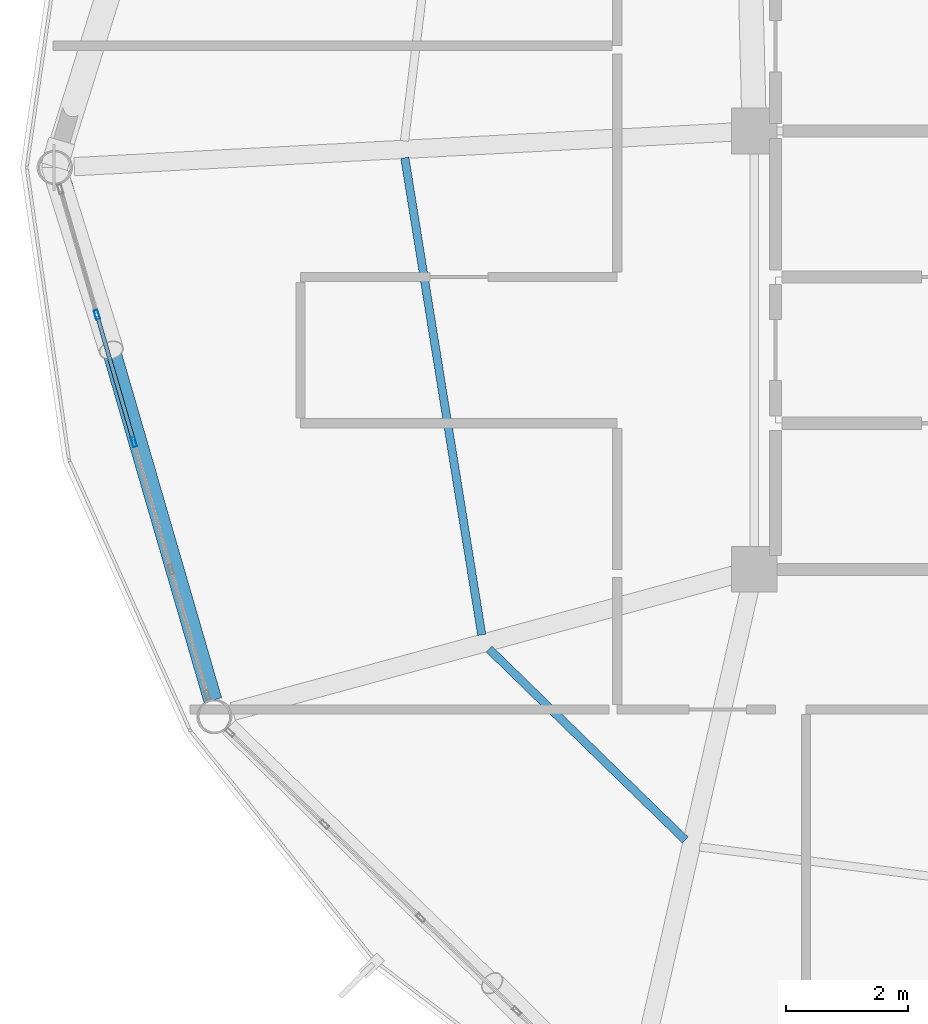
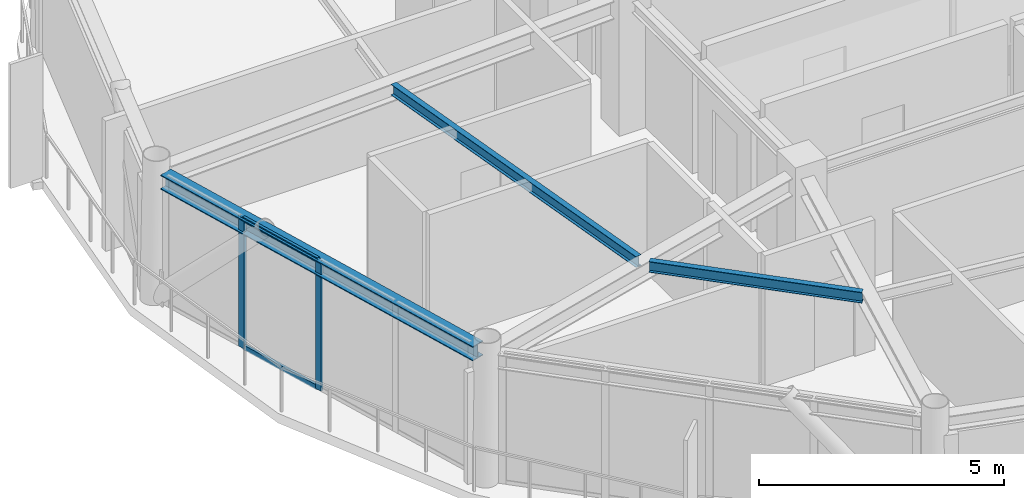
# One storey, part 5 of 28: 4 members, 3 beams, 1 element without a shape of its own.
"""IFC4 building model written with IfcOpenShell, lengths in metres."""

from ifc_helpers import new_model, si_unit, direction, frame, origin, origin_2d, place, context, subcontext, project, spatial, hollow_rectangle, i_section, extrude, material, layer, layer_set, material_profile, profile_set, type_object, element, aggregate, save


model = new_model("IFC4")

# Units and contexts
model_context = context("Model", 3, precision=1e-05, world=origin(), true_north=direction((0.0, 1.0)))
body_context = subcontext(model_context, "Body", "Model", "MODEL_VIEW")
ifc_project = project(units=[si_unit("LENGTHUNIT", "METRE"), si_unit("AREAUNIT", "SQUARE_METRE"), si_unit("VOLUMEUNIT", "CUBIC_METRE"), si_unit("PLANEANGLEUNIT", "RADIAN"), si_unit("MASSUNIT", "GRAM", prefix="KILO")], contexts=[model_context])

# Site, building, storey
site_placement = place(None, origin())
site = spatial("IfcSite", under=ifc_project, at=site_placement, CompositionType="ELEMENT")
building_placement = place(site_placement, origin())
building = spatial("IfcBuilding", under=site, at=building_placement, Name="Varnakorn Sky Granary", CompositionType="ELEMENT")
storey_placement = place(building_placement, frame((0.0, 0.0, 236.39990234375)))
storey = spatial("IfcBuildingStorey", under=building, at=storey_placement, Name="L60", CompositionType="ELEMENT", Elevation=236.39990234375)

# Beams
ifc_material_1 = material(Name="Steel S355JR", Category="steel")
ifc_material_profile_1 = material_profile(ifc_material_1, i_section(OverallWidth=0.135009765625, OverallDepth=0.27001953125, WebThickness=0.006591796875, FlangeThickness=0.01025390625, at=origin_2d()), Name="IPE 270")
ifc_profile_set_1 = profile_set([ifc_material_profile_1], Name="Steel S355JR")
beam_type_1 = type_object("IfcBeamType", Name="BM-SEC-Z5", PredefinedType="BEAM", material=ifc_profile_set_1)
beam_1_placement = place(storey_placement, frame((-8.08837890625, 0.159423828125, 3.114990234375), z_axis=(0.15921309315, -0.987244240788, 0.0), x_axis=(0.987244240788, 0.15921309315, 0.0)))
element("IfcBeam", 1, at=beam_1_placement, inside=storey, type_object=beam_type_1, Name="Secondary Floor Chord Beam MSB07 L60", PredefinedType="BEAM", context=body_context, shape_type="SweptSolid", body=[
    extrude(i_section(OverallWidth=0.135009765625, OverallDepth=0.27001953125, WebThickness=0.006591796875, FlangeThickness=0.01025390625, at=origin_2d()), origin(), (0.0, 0.0, 1.0), 7.935546875),
])
beam_2_placement = place(storey_placement, frame((-6.702392578125, -7.910888671875, 3.114990234375), z_axis=(0.716610618321, -0.697473455917, 0.0), x_axis=(0.697473455917, 0.716610618321, 0.0)))
element("IfcBeam", 2, at=beam_2_placement, inside=storey, type_object=beam_type_1, Name="Secondary Floor Chord Beam MSB08 L60", PredefinedType="BEAM", context=body_context, shape_type="SweptSolid", body=[
    extrude(i_section(OverallWidth=0.135009765625, OverallDepth=0.27001953125, WebThickness=0.006591796875, FlangeThickness=0.01025390625, at=origin_2d()), origin(), (0.0, 0.0, 1.0), 4.49072265625),
])
ifc_material_profile_2 = material_profile(ifc_material_1, i_section(OverallWidth=0.300048828125, OverallDepth=0.360107421875, WebThickness=0.012451171875, FlangeThickness=0.0224609375, at=origin_2d()), Name="HE 360 B")
ifc_profile_set_2 = profile_set([ifc_material_profile_2], Name="Steel S355JR")
beam_type_2 = type_object("IfcBeamType", Name="BM-SPD-Z5", PredefinedType="SPANDREL", material=ifc_profile_set_2)
beam_3_placement = place(storey_placement, frame((-13.707275390625, -0.25390625, 3.070068359375), z_axis=(0.278746965236, -0.960364581485, 0.0), x_axis=(0.960364581485, 0.278746965236, 0.0)))
element("IfcBeam", 3, at=beam_3_placement, inside=storey, type_object=beam_type_2, Name="Perimeter Spandrel Ring Beam RB07 L60", PredefinedType="SPANDREL", context=body_context, shape_type="SweptSolid", body=[
    extrude(i_section(OverallWidth=0.300048828125, OverallDepth=0.360107421875, WebThickness=0.012451171875, FlangeThickness=0.0224609375, at=origin_2d()), origin(), (0.0, 0.0, 1.0), 8.84521484375),
])

# Curtain wall, members
ifc_material_2 = material(Name="Anodised Bronze Aluminium Alloy 6063-T6", Category="aluminium")
ifc_layer = layer(ifc_material_2, 0.159912109375, Name="Anodised Bronze Aluminium Alloy 6063-T6")
ifc_layer_set = layer_set([ifc_layer], Name="Anodised Bronze Aluminium Alloy 6063-T6")
curtain_wall_type = type_object("IfcCurtainWallType", Name="CW-OFF-1", PredefinedType="USERDEFINED", material=ifc_layer_set)
curtain_wall_placement = place(storey_placement, origin())
curtain_wall = element("IfcCurtainWall", 4, at=curtain_wall_placement, inside=storey, type_object=curtain_wall_type, Name="Unitised Curtain Wall CW6 CW-L60-B07", ObjectType="CURTAIN WALL", PredefinedType="USERDEFINED")
ifc_material_profile_3 = material_profile(ifc_material_2, hollow_rectangle(XDim=0.06494140625, YDim=0.159912109375, WallThickness=0.00341796875, at=origin_2d()), Name="ALU MULL 65x160")
ifc_profile_set_3 = profile_set([ifc_material_profile_3], Name="Anodised Bronze Aluminium Alloy 6063-T6")
member_type_1 = type_object("IfcMemberType", Name="CW-OFF-1-MULL", PredefinedType="MULLION", material=ifc_profile_set_3)
member_1_placement = place(storey_placement, frame((-12.537109375, -4.509765625, 0.0), z_axis=(0.0, 0.0, 1.0), x_axis=(-0.960250122015, -0.279141009475, 0.0)))
member_1 = element("IfcMember", 5, at=member_1_placement, type_object=member_type_1, Name="CW6 mullion 3", PredefinedType="MULLION", context=body_context, shape_type="SweptSolid", body=[
    extrude(hollow_rectangle(XDim=0.06494140625, YDim=0.159912109375, WallThickness=0.00341796875, at=origin_2d()), origin(), (0.0, 0.0, 1.0), 3.25),
])
member_2_placement = place(storey_placement, frame((-13.14501953125, -2.41796875, 0.0), z_axis=(0.0, 0.0, 1.0), x_axis=(-0.960250122015, -0.279141009475, 0.0)))
member_2 = element("IfcMember", 6, at=member_2_placement, type_object=member_type_1, Name="CW6 mullion 4", PredefinedType="MULLION", context=body_context, shape_type="SweptSolid", body=[
    extrude(hollow_rectangle(XDim=0.06494140625, YDim=0.159912109375, WallThickness=0.00341796875, at=origin_2d()), origin(), (0.0, 0.0, 1.0), 3.25),
])
ifc_material_profile_4 = material_profile(ifc_material_2, hollow_rectangle(XDim=0.06494140625, YDim=0.1201171875, WallThickness=0.00341796875, at=origin_2d()), Name="ALU TRAN 65x120")
ifc_profile_set_4 = profile_set([ifc_material_profile_4], Name="Anodised Bronze Aluminium Alloy 6063-T6")
member_type_2 = type_object("IfcMemberType", Name="CW-OFF-1-TRAN", PredefinedType="USERDEFINED", material=ifc_profile_set_4)
member_3_placement = place(storey_placement, frame((-12.546142578125, -4.478515625, 0.03271484375), z_axis=(-0.279081674735, 0.960267368407, 0.0), x_axis=(-0.960267368407, -0.279081674735, 0.0)))
member_3 = element("IfcMember", 7, at=member_3_placement, type_object=member_type_2, Name="CW6 transom 3.1", ObjectType="TRANSOM", PredefinedType="USERDEFINED", context=body_context, shape_type="SweptSolid", body=[
    extrude(hollow_rectangle(XDim=0.06494140625, YDim=0.1201171875, WallThickness=0.00341796875, at=origin_2d()), origin(), (0.0, 0.0, 1.0), 2.113525390625),
])
member_4_placement = place(storey_placement, frame((-12.546142578125, -4.478515625, 3.217529296875), z_axis=(-0.279081674735, 0.960267368407, 0.0), x_axis=(-0.960267368407, -0.279081674735, 0.0)))
member_4 = element("IfcMember", 8, at=member_4_placement, type_object=member_type_2, Name="CW6 transom 3.2", ObjectType="TRANSOM", PredefinedType="USERDEFINED", context=body_context, shape_type="SweptSolid", body=[
    extrude(hollow_rectangle(XDim=0.06494140625, YDim=0.1201171875, WallThickness=0.00341796875, at=origin_2d()), origin(), (0.0, 0.0, 1.0), 2.113525390625),
])
aggregate(curtain_wall, [member_1, member_2, member_3, member_4])

save(model, "model.ifc")
